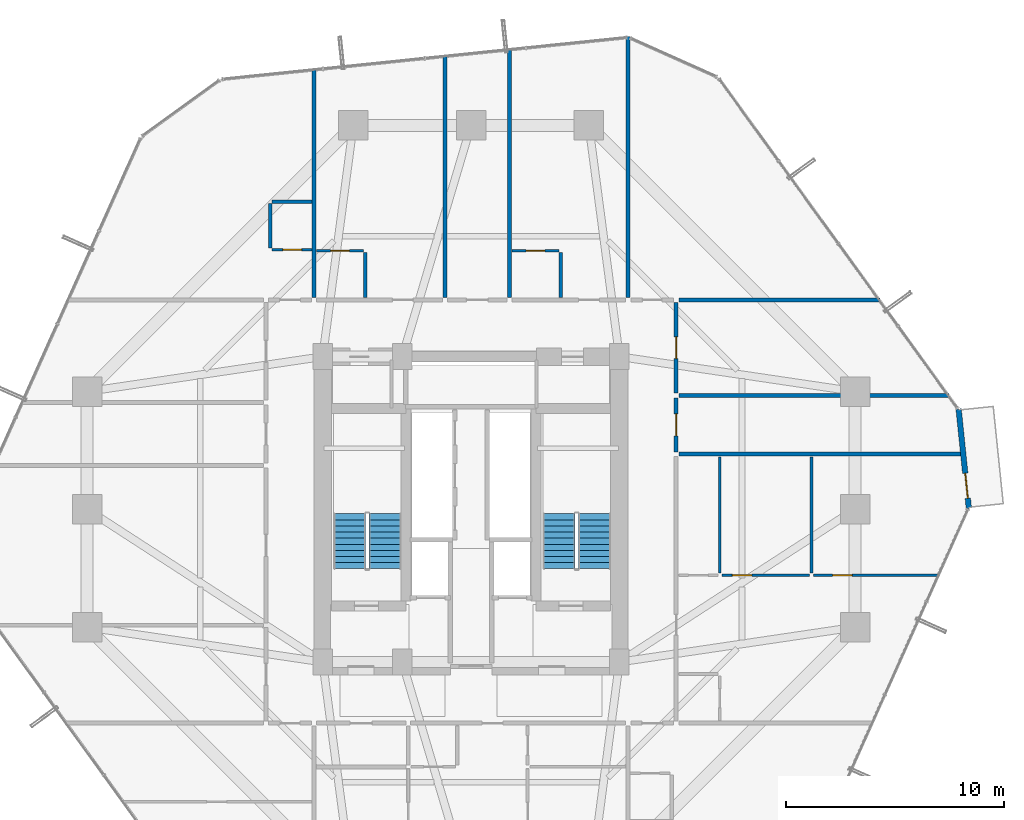
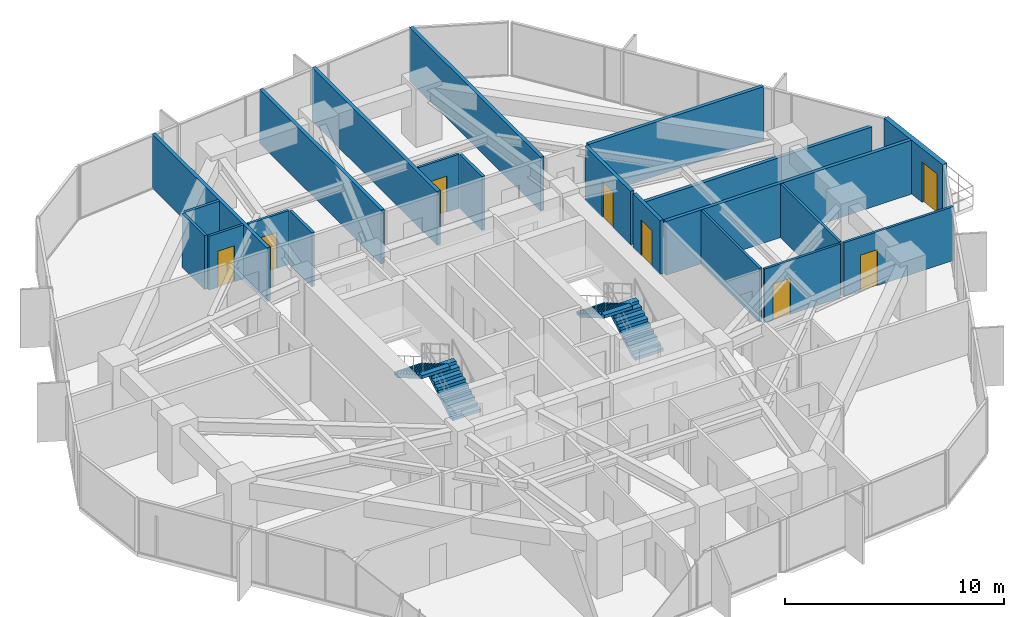
# One storey, part 35 of 37: 21 walls, 8 doors, 4 stair flights, 8 openings, 2 elements without a shape of their own.
"""IFC4 building model written with IfcOpenShell, lengths in metres."""

from ifc_helpers import new_model, si_unit, direction, frame, frame_2d, origin, place, context, subcontext, project, spatial, polyline, rectangle, outline, extrude, source, transform, mapped, material, layer, layer_set, type_object, element, fill, aggregate, save


model = new_model("IFC4")

# Units and contexts
model_context = context("Model", 3, precision=1e-05, world=origin(), true_north=direction((0.0, 1.0)))
body_context = subcontext(model_context, "Body", "Model", "MODEL_VIEW")
ifc_project = project(units=[si_unit("LENGTHUNIT", "METRE"), si_unit("AREAUNIT", "SQUARE_METRE"), si_unit("VOLUMEUNIT", "CUBIC_METRE"), si_unit("PLANEANGLEUNIT", "RADIAN"), si_unit("MASSUNIT", "GRAM", prefix="KILO")], contexts=[model_context])

# Site, building, storey
site_placement = place(None, origin())
site = spatial("IfcSite", under=ifc_project, at=site_placement, CompositionType="ELEMENT")
building_placement = place(site_placement, origin())
building = spatial("IfcBuilding", under=site, at=building_placement, Name="Veraguas Prism Commons", CompositionType="ELEMENT")
storey_placement = place(building_placement, frame((0.0, 0.0, 43.550048828125)))
storey = spatial("IfcBuildingStorey", under=building, at=storey_placement, Name="L11", CompositionType="ELEMENT", Elevation=43.550048828125)

# Walls
ifc_material_1 = material(Name="Autoclaved aerated masonry block 10 MPa", Category="masonry")
ifc_layer_1 = layer(ifc_material_1, 0.179931640625, Name="Corridor and Inter-Tenancy Partition 180", Category="masonry")
ifc_layer_set_1 = layer_set([ifc_layer_1], Name="Autoclaved aerated masonry block 10 MPa")
wall_type_1 = type_object("IfcWallType", Name="Corridor and Inter-Tenancy Partition 180", PredefinedType="PARTITIONING", material=ifc_layer_set_1)
wall_1_placement = place(storey_placement, frame((16.800048828125, 33.719970703125, 0.0), z_axis=(0.0, 0.0, 1.0), x_axis=(0.0, 1.0, 0.0)))
element("IfcWall", 1, at=wall_1_placement, inside=storey, type_object=wall_type_1, Name="WL-L11-PT017", PredefinedType="PARTITIONING", context=body_context, shape_type="SweptSolid", body=[
    extrude(rectangle(XDim=10.463134765625, YDim=0.179931640625, at=frame_2d((5.2314453125, 0.0))), origin(), (0.0, 0.0, 1.0), 3.0),
])
wall_2_placement = place(storey_placement, frame((31.199951171875, 33.719970703125, 0.0), z_axis=(0.0, 0.0, 1.0), x_axis=(0.0, 1.0, 0.0)))
element("IfcWall", 2, at=wall_2_placement, inside=storey, type_object=wall_type_1, Name="WL-L11-PT018", PredefinedType="PARTITIONING", context=body_context, shape_type="SweptSolid", body=[
    extrude(rectangle(XDim=11.9462890625, YDim=0.179931640625, at=frame_2d((5.97314453125, 0.0))), origin(), (0.0, 0.0, 1.0), 3.0),
])
wall_3_placement = place(storey_placement, frame((22.80810546875, 33.719970703125, 0.0), z_axis=(0.0, 0.0, 1.0), x_axis=(0.0, 1.0, 0.0)))
element("IfcWall", 3, at=wall_3_placement, inside=storey, type_object=wall_type_1, Name="WL-L11-PT020", PredefinedType="PARTITIONING", context=body_context, shape_type="SweptSolid", body=[
    extrude(rectangle(XDim=11.08203125, YDim=0.179931640625, at=frame_2d((5.541015625, 0.0))), origin(), (0.0, 0.0, 1.0), 3.0),
])
wall_4_placement = place(storey_placement, frame((25.758056640625, 33.719970703125, 0.0), z_axis=(0.0, 0.0, 1.0), x_axis=(0.0, 1.0, 0.0)))
element("IfcWall", 4, at=wall_4_placement, inside=storey, type_object=wall_type_1, Name="WL-L11-PT024", PredefinedType="PARTITIONING", context=body_context, shape_type="SweptSolid", body=[
    extrude(rectangle(XDim=11.3857421875, YDim=0.179931640625, at=frame_2d((5.69287109375, 0.0))), origin(), (0.0, 0.0, 1.0), 3.0),
])
wall_5_placement = place(storey_placement, frame((33.52001953125, 33.60009765625, 0.0), z_axis=(0.0, 0.0, 1.0), x_axis=(1.0, 0.0, 0.0)))
element("IfcWall", 5, at=wall_5_placement, inside=storey, type_object=wall_type_1, Name="WL-L11-PT038", PredefinedType="PARTITIONING", context=body_context, shape_type="SweptSolid", body=[
    extrude(rectangle(XDim=9.22509765625, YDim=0.179931640625, at=frame_2d((4.612548828125, 0.0))), origin(), (0.0, 0.0, 1.0), 3.0),
])
wall_6_placement = place(storey_placement, frame((33.52001953125, 26.528076171875, 0.0), z_axis=(0.0, 0.0, 1.0), x_axis=(1.0, 0.0, 0.0)))
element("IfcWall", 6, at=wall_6_placement, inside=storey, type_object=wall_type_1, Name="WL-L11-PT047", PredefinedType="PARTITIONING", context=body_context, shape_type="SweptSolid", body=[
    extrude(rectangle(XDim=13.07080078125, YDim=0.179931640625, at=frame_2d((6.535400390625, 0.0))), origin(), (0.0, 0.0, 1.0), 3.0),
])

# Wall, opening, door
wall_7_placement = place(storey_placement, frame((33.39990234375, 26.637939453125, 0.0), z_axis=(0.0, 0.0, 1.0), x_axis=(0.0, 1.0, 0.0)))
wall_7 = element("IfcWall", 7, at=wall_7_placement, inside=storey, type_object=wall_type_1, Name="WL-L11-PT048", PredefinedType="PARTITIONING", context=body_context, shape_type="SweptSolid", body=[
    extrude(rectangle(XDim=2.467041015625, YDim=0.179931640625, at=frame_2d((1.2333984375, 0.0))), origin(), (0.0, 0.0, 1.0), 3.0),
])
opening_1_placement = place(wall_7_placement, frame((0.7333984375, 0.0, 0.0)))
opening_1 = element("IfcOpeningElement", 8, at=opening_1_placement, cuts=wall_7, Name="Opening DR-13", PredefinedType="OPENING", context=body_context, shape_type="SweptSolid", body=[
    extrude(rectangle(XDim=1.0, YDim=2.010009765625, at=frame_2d((0.5, 1.0048828125))), frame((0.0, 0.099853515625, 0.0), z_axis=(0.0, -1.0, 0.0), x_axis=(1.0, 0.0, 0.0)), (0.0, 0.0, 1.0), 0.199951171875),
])
ifc_material_2 = material(Name="Steel fire-rated door assembly", Category="steel")
door_type_1 = type_object("IfcDoorType", Name="Core Accessible WC and Clinic Fire Door 1000x2010", OperationType="NOTDEFINED", PredefinedType="DOOR", material=ifc_material_2)
shared_shape_1 = source(origin(), body_context, "Body", "SweptSolid", [
    extrude(rectangle(XDim=1.0, YDim=2.010009765625, at=frame_2d((0.5, 1.0048828125))), frame((0.0, 0.02490234375, 0.0), z_axis=(0.0, -1.0, 0.0), x_axis=(1.0, 0.0, 0.0)), (0.0, 0.0, 1.0), 0.050048828125),
])
door_1_placement = place(opening_1_placement, origin())
door_1 = element("IfcDoor", 9, at=door_1_placement, inside=storey, type_object=door_type_1, Name="Residents Study Room Door", OperationType="SINGLE_SWING_RIGHT", OverallHeight=2.010009765625, OverallWidth=1.0, PredefinedType="DOOR", context=body_context, shape_type="MappedRepresentation", body=[
    mapped(shared_shape_1, transform((0.0, 0.0, 0.0), scale=1.0)),
])
fill(opening_1, door_1)

wall_8_placement = place(storey_placement, frame((33.39990234375, 29.324951171875, 0.0), z_axis=(0.0, 0.0, 1.0), x_axis=(0.0, 1.0, 0.0)))
wall_8 = element("IfcWall", 10, at=wall_8_placement, inside=storey, type_object=wall_type_1, Name="WL-L11-PT049", PredefinedType="PARTITIONING", context=body_context, shape_type="SweptSolid", body=[
    extrude(rectangle(XDim=4.1650390625, YDim=0.179931640625, at=frame_2d((2.08251953125, 0.0))), origin(), (0.0, 0.0, 1.0), 3.0),
])
opening_2_placement = place(wall_8_placement, frame((1.58251953125, 0.0, 0.0)))
opening_2 = element("IfcOpeningElement", 11, at=opening_2_placement, cuts=wall_8, Name="Opening DR-13", PredefinedType="OPENING", context=body_context, shape_type="SweptSolid", body=[
    extrude(rectangle(XDim=1.0, YDim=2.010009765625, at=frame_2d((0.5, 1.0048828125))), frame((0.0, 0.099853515625, 0.0), z_axis=(0.0, -1.0, 0.0), x_axis=(1.0, 0.0, 0.0)), (0.0, 0.0, 1.0), 0.199951171875),
])
door_2_placement = place(opening_2_placement, origin())
door_2 = element("IfcDoor", 12, at=door_2_placement, inside=storey, type_object=door_type_1, Name="Co-op Store E Door", OperationType="SINGLE_SWING_LEFT", OverallHeight=2.010009765625, OverallWidth=1.0, PredefinedType="DOOR", context=body_context, shape_type="MappedRepresentation", body=[
    mapped(shared_shape_1, transform((0.0, 0.0, 0.0), scale=1.0)),
])
fill(opening_2, door_2)

# Wall
wall_9_placement = place(storey_placement, frame((33.52001953125, 29.215087890625, 0.0), z_axis=(0.0, 0.0, 1.0), x_axis=(1.0, 0.0, 0.0)))
element("IfcWall", 13, at=wall_9_placement, inside=storey, type_object=wall_type_1, Name="WL-L11-PT050", PredefinedType="PARTITIONING", context=body_context, shape_type="SweptSolid", body=[
    extrude(rectangle(XDim=12.39697265625, YDim=0.179931640625, at=frame_2d((6.198486328125, 0.0))), origin(), (0.0, 0.0, 1.0), 2.299072265625),
])

# Wall, opening, door
ifc_material_3 = material(Name="Precast concrete C40/50", Category="concrete")
ifc_layer_2 = layer(ifc_material_3, 0.25, Name="External Loggia and Portal Wall 250", Category="concrete")
ifc_layer_set_2 = layer_set([ifc_layer_2], Name="Precast concrete C40/50")
wall_type_2 = type_object("IfcWallType", Name="External Loggia and Portal Wall 250", PredefinedType="SOLIDWALL", material=ifc_layer_set_2)
wall_10_placement = place(storey_placement, frame((46.816162109375, 24.047607421875, 0.0), z_axis=(0.0, 0.0, 1.0), x_axis=(-0.102453567768, 0.994737787787, 0.0)))
wall_10 = element("IfcWall", 14, at=wall_10_placement, inside=storey, type_object=wall_type_2, Name="Corner Loggia Wall L11-C1", PredefinedType="SOLIDWALL", context=body_context, shape_type="SweptSolid", body=[
    extrude(rectangle(XDim=4.580078125, YDim=0.25, at=frame_2d((2.2900390625, 0.0))), origin(), (0.0, 0.0, 1.0), 3.0),
])
opening_3_placement = place(wall_10_placement, frame((0.4599609375, 0.0, 0.0)))
opening_3 = element("IfcOpeningElement", 15, at=opening_3_placement, cuts=wall_10, Name="Opening DR-10", PredefinedType="OPENING", context=body_context, shape_type="SweptSolid", body=[
    extrude(rectangle(XDim=1.14990234375, YDim=2.25, at=frame_2d((0.574951171875, 1.125))), frame((0.0, 0.135009765625, 0.0), z_axis=(0.0, -1.0, 0.0), x_axis=(1.0, 0.0, 0.0)), (0.0, 0.0, 1.0), 0.27001953125),
])
ifc_material_4 = material(Name="Anodised aluminium EN AW-6063 T6", Category="aluminium")
door_type_2 = type_object("IfcDoorType", Name="Glazed Loggia and Terrace Door 1150x2250", OperationType="NOTDEFINED", PredefinedType="DOOR", material=ifc_material_4)
shared_shape_2 = source(origin(), body_context, "Body", "SweptSolid", [
    extrude(rectangle(XDim=1.14990234375, YDim=2.25, at=frame_2d((0.574951171875, 1.125))), frame((0.0, 0.02490234375, 0.0), z_axis=(0.0, -1.0, 0.0), x_axis=(1.0, 0.0, 0.0)), (0.0, 0.0, 1.0), 0.050048828125),
])
door_3_placement = place(opening_3_placement, frame((1.14990234375, 0.0, 0.0), z_axis=(0.0, 0.0, 1.0), x_axis=(-1.0, 0.0, 0.0)))
door_3 = element("IfcDoor", 16, at=door_3_placement, inside=storey, type_object=door_type_2, Name="Recessed Loggia Door L11-C1", OperationType="SINGLE_SWING_LEFT", OverallHeight=2.25, OverallWidth=1.14990234375, PredefinedType="DOOR", context=body_context, shape_type="MappedRepresentation", body=[
    mapped(shared_shape_2, transform((0.0, 0.0, 0.0), scale=1.0)),
])
fill(opening_3, door_3)

ifc_material_5 = material(Name="Lightweight acoustic gypsum board")
ifc_layer_3 = layer(ifc_material_5, 0.125, Name="Internal Apartment Room Partition 125")
ifc_layer_set_3 = layer_set([ifc_layer_3], Name="Lightweight acoustic gypsum board")
wall_type_3 = type_object("IfcWallType", Name="Internal Apartment Room Partition 125", PredefinedType="PARTITIONING", material=ifc_layer_set_3)
wall_11_placement = place(storey_placement, frame((16.919921875, 35.85009765625, 0.0), z_axis=(0.0, 0.0, 1.0), x_axis=(1.0, 0.0, 0.0)))
wall_11 = element("IfcWall", 17, at=wall_11_placement, inside=storey, type_object=wall_type_3, Name="WL-L11-PT023", PredefinedType="PARTITIONING", context=body_context, shape_type="SweptSolid", body=[
    extrude(rectangle(XDim=2.150146484375, YDim=0.125, at=frame_2d((1.0751953125, 0.0))), origin(), (0.0, 0.0, 1.0), 3.0),
])
opening_4_placement = place(wall_11_placement, frame((0.64501953125, 0.0, 0.0)))
opening_4 = element("IfcOpeningElement", 18, at=opening_4_placement, cuts=wall_11, Name="Opening DR-03", PredefinedType="OPENING", context=body_context, shape_type="SweptSolid", body=[
    extrude(rectangle(XDim=0.860107421875, YDim=2.010009765625, at=frame_2d((0.43017578125, 1.0048828125))), frame((0.0, 0.072509765625, 0.0), z_axis=(0.0, -1.0, 0.0), x_axis=(1.0, 0.0, 0.0)), (0.0, 0.0, 1.0), 0.14501953125),
])
ifc_material_6 = material(Name="Timber moisture-resistant leaf", Category="wood")
door_type_3 = type_object("IfcDoorType", Name="Internal Bathroom Door 860x2010", OperationType="NOTDEFINED", PredefinedType="DOOR", material=ifc_material_6)
shared_shape_3 = source(origin(), body_context, "Body", "SweptSolid", [
    extrude(rectangle(XDim=0.860107421875, YDim=2.010009765625, at=frame_2d((0.43017578125, 1.0048828125))), frame((0.0, 0.02490234375, 0.0), z_axis=(0.0, -1.0, 0.0), x_axis=(1.0, 0.0, 0.0)), (0.0, 0.0, 1.0), 0.050048828125),
])
door_4_placement = place(opening_4_placement, origin())
door_4 = element("IfcDoor", 19, at=door_4_placement, inside=storey, type_object=door_type_3, Name="Studio 11B Bathroom Door", OperationType="SINGLE_SWING_RIGHT", OverallHeight=2.010009765625, OverallWidth=0.860107421875, PredefinedType="DOOR", context=body_context, shape_type="MappedRepresentation", body=[
    mapped(shared_shape_3, transform((0.0, 0.0, 0.0), scale=1.0)),
])
fill(opening_4, door_4)

wall_12_placement = place(storey_placement, frame((25.8779296875, 35.85009765625, 0.0), z_axis=(0.0, 0.0, 1.0), x_axis=(1.0, 0.0, 0.0)))
wall_12 = element("IfcWall", 20, at=wall_12_placement, inside=storey, type_object=wall_type_3, Name="WL-L11-PT027", PredefinedType="PARTITIONING", context=body_context, shape_type="SweptSolid", body=[
    extrude(rectangle(XDim=2.150146484375, YDim=0.125, at=frame_2d((1.0751953125, 0.0))), origin(), (0.0, 0.0, 1.0), 3.0),
])
opening_5_placement = place(wall_12_placement, frame((0.64501953125, 0.0, 0.0)))
opening_5 = element("IfcOpeningElement", 21, at=opening_5_placement, cuts=wall_12, Name="Opening DR-03", PredefinedType="OPENING", context=body_context, shape_type="SweptSolid", body=[
    extrude(rectangle(XDim=0.860107421875, YDim=2.010009765625, at=frame_2d((0.43017578125, 1.0048828125))), frame((0.0, 0.072509765625, 0.0), z_axis=(0.0, -1.0, 0.0), x_axis=(1.0, 0.0, 0.0)), (0.0, 0.0, 1.0), 0.14501953125),
])
door_5_placement = place(opening_5_placement, origin())
door_5 = element("IfcDoor", 22, at=door_5_placement, inside=storey, type_object=door_type_3, Name="Studio 11C Bathroom Door", OperationType="SINGLE_SWING_RIGHT", OverallHeight=2.010009765625, OverallWidth=0.860107421875, PredefinedType="DOOR", context=body_context, shape_type="MappedRepresentation", body=[
    mapped(shared_shape_3, transform((0.0, 0.0, 0.0), scale=1.0)),
])
fill(opening_5, door_5)

# Walls
for number, where, z_axis, x_axis, name in (
    (23, (35.39990234375, 21.080078125, 0.0), (0.0, 0.0, 1.0), (0.0, 1.0, 0.0), "WL-L11-PT043"),
    (24, (39.60009765625, 21.080078125, 0.0), (0.0, 0.0, 1.0), (0.0, 1.0, 0.0), "WL-L11-PT044"),
):
    element("IfcWall", number, at=place(storey_placement, frame(where, z_axis=z_axis, x_axis=x_axis)), inside=storey, type_object=wall_type_3, Name=name, PredefinedType="PARTITIONING", context=body_context, shape_type="SweptSolid", body=[
        extrude(rectangle(XDim=5.327880859375, YDim=0.125, at=frame_2d((2.6640625, 0.0))), origin(), (0.0, 0.0, 1.0), 3.0),
    ])

# Wall, opening, door
wall_13_placement = place(storey_placement, frame((35.5, 20.97998046875, 0.0), z_axis=(0.0, 0.0, 1.0), x_axis=(1.0, 0.0, 0.0)))
wall_13 = element("IfcWall", 25, at=wall_13_placement, inside=storey, type_object=wall_type_3, Name="WL-L11-PT045", PredefinedType="PARTITIONING", context=body_context, shape_type="SweptSolid", body=[
    extrude(rectangle(XDim=4.02001953125, YDim=0.125, at=frame_2d((2.010009765625, 0.0))), origin(), (0.0, 0.0, 1.0), 3.0),
])
opening_6_placement = place(wall_13_placement, frame((0.471923828125, 0.0, 0.0)))
opening_6 = element("IfcOpeningElement", 26, at=opening_6_placement, cuts=wall_13, Name="Opening DR-02", PredefinedType="OPENING", context=body_context, shape_type="SweptSolid", body=[
    extrude(rectangle(XDim=0.89990234375, YDim=2.010009765625, at=frame_2d((0.449951171875, 1.0048828125))), frame((0.0, 0.072509765625, 0.0), z_axis=(0.0, -1.0, 0.0), x_axis=(1.0, 0.0, 0.0)), (0.0, 0.0, 1.0), 0.14501953125),
])
ifc_material_7 = material(Name="Timber solid core hardwood", Category="wood")
door_type_4 = type_object("IfcDoorType", Name="Internal Habitable Room Door 900x2010", OperationType="NOTDEFINED", PredefinedType="DOOR", material=ifc_material_7)
shared_shape_4 = source(origin(), body_context, "Body", "SweptSolid", [
    extrude(rectangle(XDim=0.89990234375, YDim=2.010009765625, at=frame_2d((0.449951171875, 1.0048828125))), frame((0.0, 0.02490234375, 0.0), z_axis=(0.0, -1.0, 0.0), x_axis=(1.0, 0.0, 0.0)), (0.0, 0.0, 1.0), 0.050048828125),
])
door_6_placement = place(opening_6_placement, origin())
door_6 = element("IfcDoor", 27, at=door_6_placement, inside=storey, type_object=door_type_4, Name="Flat 11D Bedroom 1 Door", OperationType="SINGLE_SWING_RIGHT", OverallHeight=2.010009765625, OverallWidth=0.89990234375, PredefinedType="DOOR", context=body_context, shape_type="MappedRepresentation", body=[
    mapped(shared_shape_4, transform((0.0, 0.0, 0.0), scale=1.0)),
])
fill(opening_6, door_6)

wall_14_placement = place(storey_placement, frame((39.699951171875, 20.97998046875, 0.0), z_axis=(0.0, 0.0, 1.0), x_axis=(1.0, 0.0, 0.0)))
wall_14 = element("IfcWall", 28, at=wall_14_placement, inside=storey, type_object=wall_type_3, Name="WL-L11-PT046", PredefinedType="PARTITIONING", context=body_context, shape_type="SweptSolid", body=[
    extrude(rectangle(XDim=5.753662109375, YDim=0.125, at=frame_2d((2.876953125, 0.0))), origin(), (0.0, 0.0, 1.0), 3.0),
])
opening_7_placement = place(wall_14_placement, frame((0.867919921875, 0.0, 0.0)))
opening_7 = element("IfcOpeningElement", 29, at=opening_7_placement, cuts=wall_14, Name="Opening DR-02", PredefinedType="OPENING", context=body_context, shape_type="SweptSolid", body=[
    extrude(rectangle(XDim=0.89990234375, YDim=2.010009765625, at=frame_2d((0.449951171875, 1.0048828125))), frame((0.0, 0.072509765625, 0.0), z_axis=(0.0, -1.0, 0.0), x_axis=(1.0, 0.0, 0.0)), (0.0, 0.0, 1.0), 0.14501953125),
])
door_7_placement = place(opening_7_placement, origin())
door_7 = element("IfcDoor", 30, at=door_7_placement, inside=storey, type_object=door_type_4, Name="Flat 11D Bedroom 2 Door", OperationType="SINGLE_SWING_LEFT", OverallHeight=2.010009765625, OverallWidth=0.89990234375, PredefinedType="DOOR", context=body_context, shape_type="MappedRepresentation", body=[
    mapped(shared_shape_4, transform((0.0, 0.0, 0.0), scale=1.0)),
])
fill(opening_7, door_7)

wall_15_placement = place(storey_placement, frame((14.8798828125, 35.89990234375, 0.0), z_axis=(0.0, 0.0, 1.0), x_axis=(1.0, 0.0, 0.0)))
wall_15 = element("IfcWall", 31, at=wall_15_placement, inside=storey, type_object=wall_type_3, Name="WL-L11-PT058", PredefinedType="PARTITIONING", context=body_context, shape_type="SweptSolid", body=[
    extrude(rectangle(XDim=1.840087890625, YDim=0.125, at=frame_2d((0.919921875, 0.0))), origin(), (0.0, 0.0, 1.0), 3.0),
])
opening_8_placement = place(wall_15_placement, frame((0.489990234375, 0.0, 0.0)))
opening_8 = element("IfcOpeningElement", 32, at=opening_8_placement, cuts=wall_15, Name="Opening DR-03", PredefinedType="OPENING", context=body_context, shape_type="SweptSolid", body=[
    extrude(rectangle(XDim=0.860107421875, YDim=2.010009765625, at=frame_2d((0.43017578125, 1.0048828125))), frame((0.0, 0.072509765625, 0.0), z_axis=(0.0, -1.0, 0.0), x_axis=(1.0, 0.0, 0.0)), (0.0, 0.0, 1.0), 0.14501953125),
])
door_8_placement = place(opening_8_placement, origin())
door_8 = element("IfcDoor", 33, at=door_8_placement, inside=storey, type_object=door_type_3, Name="Studio 11F Bathroom Door", OperationType="SINGLE_SWING_LEFT", OverallHeight=2.010009765625, OverallWidth=0.860107421875, PredefinedType="DOOR", context=body_context, shape_type="MappedRepresentation", body=[
    mapped(shared_shape_3, transform((0.0, 0.0, 0.0), scale=1.0)),
])
fill(opening_8, door_8)

# Walls
ifc_layer_4 = layer(ifc_material_5, 0.14990234375, Name="Wet Room and Clinic Acoustic Partition 150")
ifc_layer_set_4 = layer_set([ifc_layer_4], Name="Lightweight acoustic gypsum board")
wall_type_4 = type_object("IfcWallType", Name="Wet Room and Clinic Acoustic Partition 150", PredefinedType="PARTITIONING", material=ifc_layer_set_4)
for number, where, z_axis, x_axis, name in (
    (34, (19.14990234375, 33.719970703125, 0.0), (0.0, 0.0, 1.0), (0.0, 1.0, 0.0), "WL-L11-PT022"),
    (35, (28.10791015625, 33.719970703125, 0.0), (0.0, 0.0, 1.0), (0.0, 1.0, 0.0), "WL-L11-PT026"),
):
    element("IfcWall", number, at=place(storey_placement, frame(where, z_axis=z_axis, x_axis=x_axis)), inside=storey, type_object=wall_type_4, Name=name, PredefinedType="PARTITIONING", context=body_context, shape_type="SweptSolid", body=[
        extrude(rectangle(XDim=2.050048828125, YDim=0.14990234375, at=frame_2d((1.02490234375, 0.0))), origin(), (0.0, 0.0, 1.0), 3.0),
    ])
wall_16_placement = place(storey_placement, frame((14.8798828125, 38.10009765625, 0.0), z_axis=(0.0, 0.0, 1.0), x_axis=(1.0, 0.0, 0.0)))
element("IfcWall", 36, at=wall_16_placement, inside=storey, type_object=wall_type_4, Name="WL-L11-PT059", PredefinedType="PARTITIONING", context=body_context, shape_type="SweptSolid", body=[
    extrude(rectangle(XDim=1.840087890625, YDim=0.14990234375, at=frame_2d((0.919921875, 0.0))), origin(), (0.0, 0.0, 1.0), 3.0),
])
wall_17_placement = place(storey_placement, frame((14.800048828125, 35.97998046875, 0.0), z_axis=(0.0, 0.0, 1.0), x_axis=(0.0, 1.0, 0.0)))
element("IfcWall", 37, at=wall_17_placement, inside=storey, type_object=wall_type_4, Name="WL-L11-PT060", PredefinedType="PARTITIONING", context=body_context, shape_type="SweptSolid", body=[
    extrude(rectangle(XDim=2.0400390625, YDim=0.14990234375, at=frame_2d((1.02001953125, 0.0))), origin(), (0.0, 0.0, 1.0), 3.0),
])

# Stair, stair flights
ifc_material_8 = material(Name="Precast concrete C45/55", Category="concrete")
stair_type = type_object("IfcStairType", Name="Dogleg Core Stair 1480W 20R 05", PredefinedType="HALF_TURN_STAIR", material=ifc_material_8)
stair_1_placement = place(storey_placement, origin())
stair_1 = element("IfcStair", 38, at=stair_1_placement, inside=storey, type_object=stair_type, Name="Protected Exit Stair ST-01 L11", PredefinedType="HALF_TURN_STAIR")
stair_flight_type = type_object("IfcStairFlightType", Name="Precast Stair Flight 1480W 10R 05", PredefinedType="STRAIGHT", material=ifc_material_8)
stair_flight_1_placement = place(storey_placement, frame((20.06005859375, 21.280029296875, 0.0), z_axis=(0.0, 0.0, 1.0), x_axis=(0.0, 1.0, 0.0)))
stair_flight_1 = element("IfcStairFlight", 39, at=stair_flight_1_placement, type_object=stair_flight_type, Name="ST-05 Flight 1", NumberOfRisers=10, NumberOfTreads=9, PredefinedType="STRAIGHT", RiserHeight=0.1625, TreadLength=0.28, context=body_context, shape_type="SweptSolid", body=[
    extrude(outline(polyline([(0.0, 0.0), (0.0, 0.16259765625), (0.280029296875, 0.16259765625), (0.280029296875, 0.324951171875), (0.56005859375, 0.324951171875), (0.56005859375, 0.487548828125), (0.840087890625, 0.487548828125), (0.840087890625, 0.64990234375), (1.1201171875, 0.64990234375), (1.1201171875, 0.8125), (1.39990234375, 0.8125), (1.39990234375, 0.97509765625), (1.679931640625, 0.97509765625), (1.679931640625, 1.137451171875), (1.9599609375, 1.137451171875), (1.9599609375, 1.300048828125), (2.239990234375, 1.300048828125), (2.239990234375, 1.46240234375), (2.52001953125, 1.46240234375), (2.52001953125, 1.625), (2.52001953125, 1.2890625), (0.298583984375, 0.0), (0.0, 0.0)])), frame((0.0, 0.739990234375, 0.0), z_axis=(0.0, -1.0, 0.0), x_axis=(1.0, 0.0, 0.0)), (0.0, 0.0, 1.0), 1.47998046875),
])
stair_flight_2_placement = place(storey_placement, frame((18.429931640625, 23.800048828125, 1.625), z_axis=(0.0, 0.0, 1.0), x_axis=(0.0, -1.0, 0.0)))
stair_flight_2 = element("IfcStairFlight", 40, at=stair_flight_2_placement, type_object=stair_flight_type, Name="ST-05 Flight 2", NumberOfRisers=10, NumberOfTreads=9, PredefinedType="STRAIGHT", RiserHeight=0.1625, TreadLength=0.28, context=body_context, shape_type="SweptSolid", body=[
    extrude(outline(polyline([(0.0, 0.0), (0.0, 0.16259765625), (0.280029296875, 0.16259765625), (0.280029296875, 0.324951171875), (0.56005859375, 0.324951171875), (0.56005859375, 0.487548828125), (0.840087890625, 0.487548828125), (0.840087890625, 0.64990234375), (1.1201171875, 0.64990234375), (1.1201171875, 0.8125), (1.39990234375, 0.8125), (1.39990234375, 0.97509765625), (1.679931640625, 0.97509765625), (1.679931640625, 1.137451171875), (1.9599609375, 1.137451171875), (1.9599609375, 1.300048828125), (2.239990234375, 1.300048828125), (2.239990234375, 1.46240234375), (2.52001953125, 1.46240234375), (2.52001953125, 1.625), (2.52001953125, 1.2890625), (0.298583984375, 0.0), (0.0, 0.0)])), frame((0.0, 0.739990234375, 0.0), z_axis=(0.0, -1.0, 0.0), x_axis=(1.0, 0.0, 0.0)), (0.0, 0.0, 1.0), 1.47998046875),
])
aggregate(stair_1, [stair_flight_1, stair_flight_2])

stair_2_placement = place(storey_placement, origin())
stair_2 = element("IfcStair", 41, at=stair_2_placement, inside=storey, type_object=stair_type, Name="Protected Exit Stair ST-02 L11", PredefinedType="HALF_TURN_STAIR")
stair_flight_3_placement = place(storey_placement, frame((29.659912109375, 21.280029296875, 0.0), z_axis=(0.0, 0.0, 1.0), x_axis=(0.0, 1.0, 0.0)))
stair_flight_3 = element("IfcStairFlight", 42, at=stair_flight_3_placement, type_object=stair_flight_type, Name="ST-05 Flight 1", NumberOfRisers=10, NumberOfTreads=9, PredefinedType="STRAIGHT", RiserHeight=0.1625, TreadLength=0.28, context=body_context, shape_type="SweptSolid", body=[
    extrude(outline(polyline([(0.0, 0.0), (0.0, 0.16259765625), (0.280029296875, 0.16259765625), (0.280029296875, 0.324951171875), (0.56005859375, 0.324951171875), (0.56005859375, 0.487548828125), (0.840087890625, 0.487548828125), (0.840087890625, 0.64990234375), (1.1201171875, 0.64990234375), (1.1201171875, 0.8125), (1.39990234375, 0.8125), (1.39990234375, 0.97509765625), (1.679931640625, 0.97509765625), (1.679931640625, 1.137451171875), (1.9599609375, 1.137451171875), (1.9599609375, 1.300048828125), (2.239990234375, 1.300048828125), (2.239990234375, 1.46240234375), (2.52001953125, 1.46240234375), (2.52001953125, 1.625), (2.52001953125, 1.2890625), (0.298583984375, 0.0), (0.0, 0.0)])), frame((0.0, 0.739990234375, 0.0), z_axis=(0.0, -1.0, 0.0), x_axis=(1.0, 0.0, 0.0)), (0.0, 0.0, 1.0), 1.47998046875),
])
stair_flight_4_placement = place(storey_placement, frame((28.030029296875, 23.800048828125, 1.625), z_axis=(0.0, 0.0, 1.0), x_axis=(0.0, -1.0, 0.0)))
stair_flight_4 = element("IfcStairFlight", 43, at=stair_flight_4_placement, type_object=stair_flight_type, Name="ST-05 Flight 2", NumberOfRisers=10, NumberOfTreads=9, PredefinedType="STRAIGHT", RiserHeight=0.1625, TreadLength=0.28, context=body_context, shape_type="SweptSolid", body=[
    extrude(outline(polyline([(0.0, 0.0), (0.0, 0.16259765625), (0.280029296875, 0.16259765625), (0.280029296875, 0.324951171875), (0.56005859375, 0.324951171875), (0.56005859375, 0.487548828125), (0.840087890625, 0.487548828125), (0.840087890625, 0.64990234375), (1.1201171875, 0.64990234375), (1.1201171875, 0.8125), (1.39990234375, 0.8125), (1.39990234375, 0.97509765625), (1.679931640625, 0.97509765625), (1.679931640625, 1.137451171875), (1.9599609375, 1.137451171875), (1.9599609375, 1.300048828125), (2.239990234375, 1.300048828125), (2.239990234375, 1.46240234375), (2.52001953125, 1.46240234375), (2.52001953125, 1.625), (2.52001953125, 1.2890625), (0.298583984375, 0.0), (0.0, 0.0)])), frame((0.0, 0.739990234375, 0.0), z_axis=(0.0, -1.0, 0.0), x_axis=(1.0, 0.0, 0.0)), (0.0, 0.0, 1.0), 1.47998046875),
])
aggregate(stair_2, [stair_flight_3, stair_flight_4])

save(model, "model.ifc")
